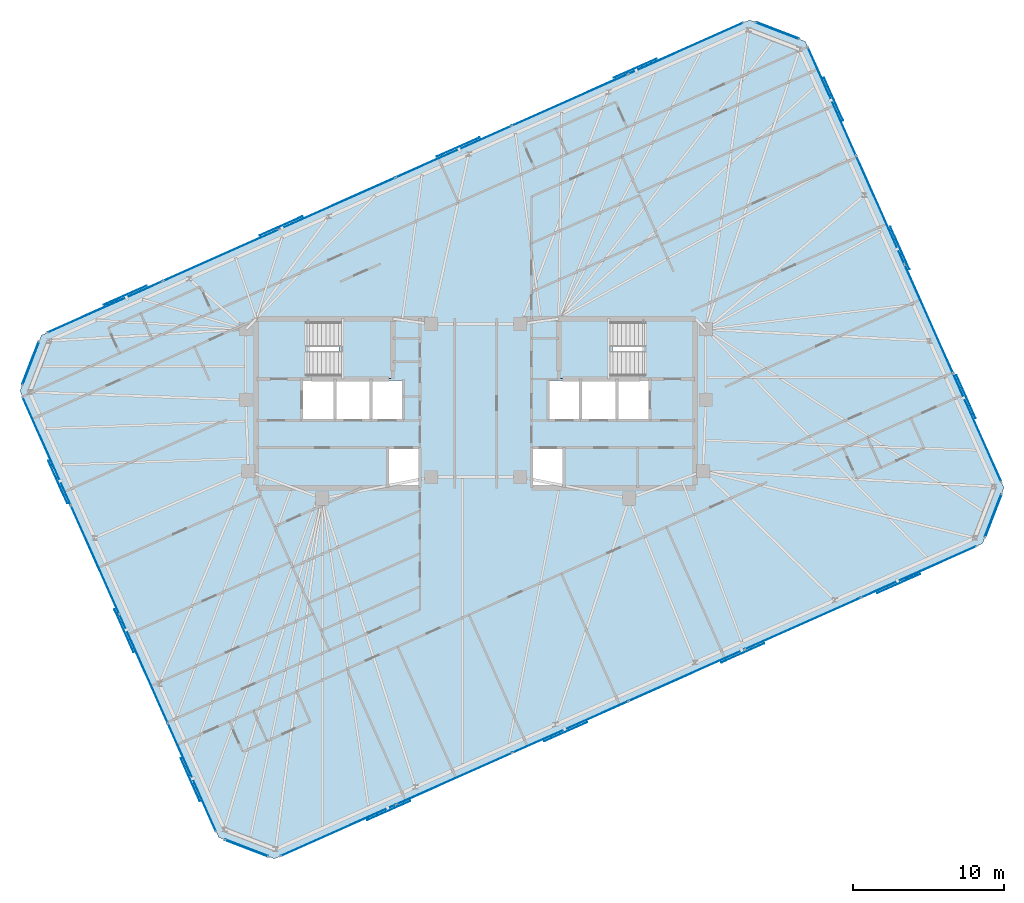
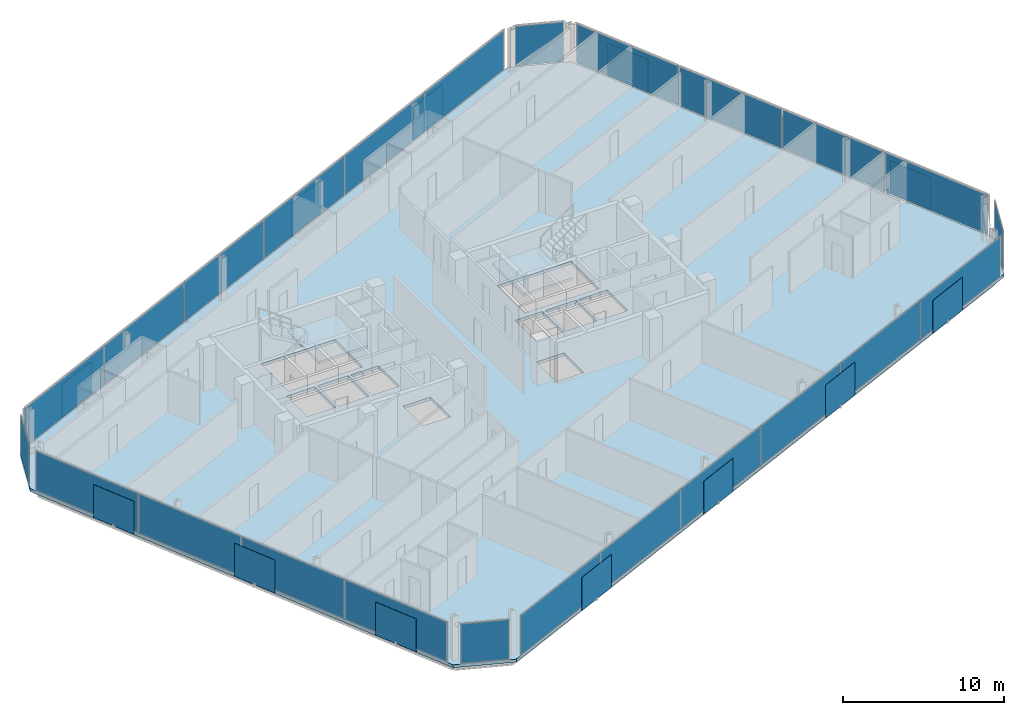
# One storey, part 12 of 19: 38 plates, 3 slabs, 10 elements without a shape of their own.
"""IFC4 building model written with IfcOpenShell, lengths in metres."""

from ifc_helpers import new_model, si_unit, direction, frame, origin, origin_2d, place, context, subcontext, project, spatial, polyline, rectangle, outline, extrude, material, layer, layer_set, type_object, element, aggregate, save


model = new_model("IFC4")

# Units and contexts
model_context = context("Model", 3, precision=1e-05, world=origin(), true_north=direction((0.0, 1.0)))
body_context = subcontext(model_context, "Body", "Model", "MODEL_VIEW")
ifc_project = project(units=[si_unit("LENGTHUNIT", "METRE"), si_unit("AREAUNIT", "SQUARE_METRE"), si_unit("VOLUMEUNIT", "CUBIC_METRE"), si_unit("PLANEANGLEUNIT", "RADIAN"), si_unit("MASSUNIT", "GRAM", prefix="KILO")], contexts=[model_context])

# Site, building, storey
site_placement = place(None, origin())
site = spatial("IfcSite", under=ifc_project, at=site_placement, CompositionType="ELEMENT")
building_placement = place(site_placement, origin())
building = spatial("IfcBuilding", under=site, at=building_placement, Name="Menara Jurai Vektor", CompositionType="ELEMENT")
storey_placement = place(building_placement, frame((0.0, 0.0, 288.60009765625)))
storey = spatial("IfcBuildingStorey", under=building, at=storey_placement, Name="L77", CompositionType="ELEMENT", Elevation=288.60009765625)

# Curtain wall, plates
ifc_material_1 = material(Name="Anodised Pale Aluminium & Low-E Double Glazing", Category="aluminium")
curtain_wall_type = type_object("IfcCurtainWallType", Name="CW-BLK5", PredefinedType="NOTDEFINED", material=ifc_material_1)
curtain_wall_1_placement = place(storey_placement, origin())
curtain_wall_1 = element("IfcCurtainWall", 1, at=curtain_wall_1_placement, inside=storey, type_object=curtain_wall_type, Name="Unitised Curtain Wall L77 F01", PredefinedType="NOTDEFINED")
ifc_material_2 = material(Name="Low-E Solar-Control Double Glazed Unit", Category="glass")
ifc_layer_1 = layer(ifc_material_2, 0.028076171875)
ifc_layer_set_1 = layer_set([ifc_layer_1], Name="Low-E Solar-Control Double Glazed Unit")
plate_type_1 = type_object("IfcPlateType", Name="CW-BLK5-PNL", PredefinedType="CURTAIN_PANEL", material=ifc_layer_set_1)
plate_1_placement = place(storey_placement, frame((-9.130615234375, -28.331787109375, 0.074951171875), z_axis=(0.0, 0.0, 1.0), x_axis=(0.913545967158, 0.406735498684, 0.0)))
plate_1 = element("IfcPlate", 2, at=plate_1_placement, type_object=plate_type_1, Name="CW-05 panel 1.1", PredefinedType="CURTAIN_PANEL", context=body_context, shape_type="SweptSolid", body=[
    extrude(rectangle(XDim=8.327392578125, YDim=0.028076171875, at=origin_2d()), origin(), (0.0, 0.0, 1.0), 2.97509765625),
])
plate_2_placement = place(storey_placement, frame((-1.4375, -24.90673828125, 0.074951171875), z_axis=(0.0, 0.0, 1.0), x_axis=(0.913545967158, 0.406735498684, 0.0)))
plate_2 = element("IfcPlate", 3, at=plate_2_placement, type_object=plate_type_1, Name="CW-05 panel 2.1", PredefinedType="CURTAIN_PANEL", context=body_context, shape_type="SweptSolid", body=[
    extrude(rectangle(XDim=8.364990234375, YDim=0.028076171875, at=origin_2d()), origin(), (0.0, 0.0, 1.0), 2.97509765625),
])
plate_3_placement = place(storey_placement, frame((6.27294921875, -21.473876953125, 0.074951171875), z_axis=(0.0, 0.0, 1.0), x_axis=(0.913545967158, 0.406735498684, 0.0)))
plate_3 = element("IfcPlate", 4, at=plate_3_placement, type_object=plate_type_1, Name="CW-05 panel 3.1", PredefinedType="CURTAIN_PANEL", context=body_context, shape_type="SweptSolid", body=[
    extrude(rectangle(XDim=8.364990234375, YDim=0.028076171875, at=origin_2d()), origin(), (0.0, 0.0, 1.0), 2.97509765625),
])
plate_4_placement = place(storey_placement, frame((13.983154296875, -18.041015625, 0.074951171875), z_axis=(0.0, 0.0, 1.0), x_axis=(0.913545967158, 0.406735498684, 0.0)))
plate_4 = element("IfcPlate", 5, at=plate_4_placement, type_object=plate_type_1, Name="CW-05 panel 4.1", PredefinedType="CURTAIN_PANEL", context=body_context, shape_type="SweptSolid", body=[
    extrude(rectangle(XDim=8.364990234375, YDim=0.028076171875, at=origin_2d()), origin(), (0.0, 0.0, 1.0), 2.97509765625),
])
plate_5_placement = place(storey_placement, frame((21.693603515625, -14.608154296875, 0.074951171875), z_axis=(0.0, 0.0, 1.0), x_axis=(0.913545967158, 0.406735498684, 0.0)))
plate_5 = element("IfcPlate", 6, at=plate_5_placement, type_object=plate_type_1, Name="CW-05 panel 5.1", PredefinedType="CURTAIN_PANEL", context=body_context, shape_type="SweptSolid", body=[
    extrude(rectangle(XDim=8.364990234375, YDim=0.028076171875, at=origin_2d()), origin(), (0.0, 0.0, 1.0), 2.97509765625),
])
plate_6_placement = place(storey_placement, frame((29.38671875, -11.182861328125, 0.074951171875), z_axis=(0.0, 0.0, 1.0), x_axis=(0.913545967158, 0.406735498684, 0.0)))
plate_6 = element("IfcPlate", 7, at=plate_6_placement, type_object=plate_type_1, Name="CW-05 panel 6.1", PredefinedType="CURTAIN_PANEL", context=body_context, shape_type="SweptSolid", body=[
    extrude(rectangle(XDim=8.327392578125, YDim=0.028076171875, at=origin_2d()), origin(), (0.0, 0.0, 1.0), 2.97509765625),
])
aggregate(curtain_wall_1, [plate_1, plate_2, plate_3, plate_4, plate_5, plate_6])

curtain_wall_2_placement = place(storey_placement, origin())
curtain_wall_2 = element("IfcCurtainWall", 8, at=curtain_wall_2_placement, inside=storey, type_object=curtain_wall_type, Name="Unitised Curtain Wall L77 F03", PredefinedType="NOTDEFINED")
plate_7_placement = place(storey_placement, frame((33.25439453125, -1.630126953125, 0.074951171875), z_axis=(0.0, 0.0, 1.0), x_axis=(-0.406735138086, 0.913546127706, 0.0)))
plate_7 = element("IfcPlate", 9, at=plate_7_placement, type_object=plate_type_1, Name="CW-05 panel 1.1", PredefinedType="CURTAIN_PANEL", context=body_context, shape_type="SweptSolid", body=[
    extrude(rectangle(XDim=7.797607421875, YDim=0.028076171875, at=origin_2d()), origin(), (0.0, 0.0, 1.0), 2.97509765625),
])
plate_8_placement = place(storey_placement, frame((30.044677734375, 5.578857421875, 0.074951171875), z_axis=(0.0, 0.0, 1.0), x_axis=(-0.406735138086, 0.913546127706, 0.0)))
plate_8 = element("IfcPlate", 10, at=plate_8_placement, type_object=plate_type_1, Name="CW-05 panel 2.1", PredefinedType="CURTAIN_PANEL", context=body_context, shape_type="SweptSolid", body=[
    extrude(rectangle(XDim=7.8349609375, YDim=0.028076171875, at=origin_2d()), origin(), (0.0, 0.0, 1.0), 2.97509765625),
])
plate_9_placement = place(storey_placement, frame((26.827392578125, 12.80517578125, 0.074951171875), z_axis=(0.0, 0.0, 1.0), x_axis=(-0.406735138086, 0.913546127706, 0.0)))
plate_9 = element("IfcPlate", 11, at=plate_9_placement, type_object=plate_type_1, Name="CW-05 panel 3.1", PredefinedType="CURTAIN_PANEL", context=body_context, shape_type="SweptSolid", body=[
    extrude(rectangle(XDim=7.8349609375, YDim=0.028076171875, at=origin_2d()), origin(), (0.0, 0.0, 1.0), 2.97509765625),
])
plate_10_placement = place(storey_placement, frame((23.61767578125, 20.01416015625, 0.074951171875), z_axis=(0.0, 0.0, 1.0), x_axis=(-0.406735138086, 0.913546127706, 0.0)))
plate_10 = element("IfcPlate", 12, at=plate_10_placement, type_object=plate_type_1, Name="CW-05 panel 4.1", PredefinedType="CURTAIN_PANEL", context=body_context, shape_type="SweptSolid", body=[
    extrude(rectangle(XDim=7.797607421875, YDim=0.028076171875, at=origin_2d()), origin(), (0.0, 0.0, 1.0), 2.97509765625),
])
aggregate(curtain_wall_2, [plate_7, plate_8, plate_9, plate_10])

curtain_wall_3_placement = place(storey_placement, origin())
curtain_wall_3 = element("IfcCurtainWall", 13, at=curtain_wall_3_placement, inside=storey, type_object=curtain_wall_type, Name="Unitised Curtain Wall L77 F05", PredefinedType="NOTDEFINED")
plate_11_placement = place(storey_placement, frame((13.9306640625, 23.53173828125, 0.074951171875), z_axis=(0.0, 0.0, 1.0), x_axis=(-0.913545967158, -0.406735498684, 0.0)))
plate_11 = element("IfcPlate", 14, at=plate_11_placement, type_object=plate_type_1, Name="CW-05 panel 1.1", PredefinedType="CURTAIN_PANEL", context=body_context, shape_type="SweptSolid", body=[
    extrude(rectangle(XDim=8.327392578125, YDim=0.028076171875, at=origin_2d()), origin(), (0.0, 0.0, 1.0), 2.97509765625),
])
plate_12_placement = place(storey_placement, frame((6.237548828125, 20.106689453125, 0.074951171875), z_axis=(0.0, 0.0, 1.0), x_axis=(-0.913545967158, -0.406735498684, 0.0)))
plate_12 = element("IfcPlate", 15, at=plate_12_placement, type_object=plate_type_1, Name="CW-05 panel 2.1", PredefinedType="CURTAIN_PANEL", context=body_context, shape_type="SweptSolid", body=[
    extrude(rectangle(XDim=8.364990234375, YDim=0.028076171875, at=origin_2d()), origin(), (0.0, 0.0, 1.0), 2.97509765625),
])
plate_13_placement = place(storey_placement, frame((-1.472900390625, 16.673828125, 0.074951171875), z_axis=(0.0, 0.0, 1.0), x_axis=(-0.913545967158, -0.406735498684, 0.0)))
plate_13 = element("IfcPlate", 16, at=plate_13_placement, type_object=plate_type_1, Name="CW-05 panel 3.1", PredefinedType="CURTAIN_PANEL", context=body_context, shape_type="SweptSolid", body=[
    extrude(rectangle(XDim=8.364990234375, YDim=0.028076171875, at=origin_2d()), origin(), (0.0, 0.0, 1.0), 2.97509765625),
])
plate_14_placement = place(storey_placement, frame((-9.18310546875, 13.240966796875, 0.074951171875), z_axis=(0.0, 0.0, 1.0), x_axis=(-0.913545967158, -0.406735498684, 0.0)))
plate_14 = element("IfcPlate", 17, at=plate_14_placement, type_object=plate_type_1, Name="CW-05 panel 4.1", PredefinedType="CURTAIN_PANEL", context=body_context, shape_type="SweptSolid", body=[
    extrude(rectangle(XDim=8.364990234375, YDim=0.028076171875, at=origin_2d()), origin(), (0.0, 0.0, 1.0), 2.97509765625),
])
plate_15_placement = place(storey_placement, frame((-16.8935546875, 9.80810546875, 0.074951171875), z_axis=(0.0, 0.0, 1.0), x_axis=(-0.913545967158, -0.406735498684, 0.0)))
plate_15 = element("IfcPlate", 18, at=plate_15_placement, type_object=plate_type_1, Name="CW-05 panel 5.1", PredefinedType="CURTAIN_PANEL", context=body_context, shape_type="SweptSolid", body=[
    extrude(rectangle(XDim=8.364990234375, YDim=0.028076171875, at=origin_2d()), origin(), (0.0, 0.0, 1.0), 2.97509765625),
])
plate_16_placement = place(storey_placement, frame((-24.586669921875, 6.3828125, 0.074951171875), z_axis=(0.0, 0.0, 1.0), x_axis=(-0.913545967158, -0.406735498684, 0.0)))
plate_16 = element("IfcPlate", 19, at=plate_16_placement, type_object=plate_type_1, Name="CW-05 panel 6.1", PredefinedType="CURTAIN_PANEL", context=body_context, shape_type="SweptSolid", body=[
    extrude(rectangle(XDim=8.327392578125, YDim=0.028076171875, at=origin_2d()), origin(), (0.0, 0.0, 1.0), 2.97509765625),
])
aggregate(curtain_wall_3, [plate_11, plate_12, plate_13, plate_14, plate_15, plate_16])

curtain_wall_4_placement = place(storey_placement, origin())
curtain_wall_4 = element("IfcCurtainWall", 20, at=curtain_wall_4_placement, inside=storey, type_object=curtain_wall_type, Name="Unitised Curtain Wall L77 F07", PredefinedType="NOTDEFINED")
plate_17_placement = place(storey_placement, frame((-28.454345703125, -3.169921875, 0.074951171875), z_axis=(0.0, 0.0, 1.0), x_axis=(0.406735138086, -0.913546127706, 0.0)))
plate_17 = element("IfcPlate", 21, at=plate_17_placement, type_object=plate_type_1, Name="CW-05 panel 1.1", PredefinedType="CURTAIN_PANEL", context=body_context, shape_type="SweptSolid", body=[
    extrude(rectangle(XDim=7.797607421875, YDim=0.028076171875, at=origin_2d()), origin(), (0.0, 0.0, 1.0), 2.97509765625),
])
plate_18_placement = place(storey_placement, frame((-25.24462890625, -10.37890625, 0.074951171875), z_axis=(0.0, 0.0, 1.0), x_axis=(0.406735138086, -0.913546127706, 0.0)))
plate_18 = element("IfcPlate", 22, at=plate_18_placement, type_object=plate_type_1, Name="CW-05 panel 2.1", PredefinedType="CURTAIN_PANEL", context=body_context, shape_type="SweptSolid", body=[
    extrude(rectangle(XDim=7.8349609375, YDim=0.028076171875, at=origin_2d()), origin(), (0.0, 0.0, 1.0), 2.97509765625),
])
plate_19_placement = place(storey_placement, frame((-22.02734375, -17.60498046875, 0.074951171875), z_axis=(0.0, 0.0, 1.0), x_axis=(0.406735138086, -0.913546127706, 0.0)))
plate_19 = element("IfcPlate", 23, at=plate_19_placement, type_object=plate_type_1, Name="CW-05 panel 3.1", PredefinedType="CURTAIN_PANEL", context=body_context, shape_type="SweptSolid", body=[
    extrude(rectangle(XDim=7.8349609375, YDim=0.028076171875, at=origin_2d()), origin(), (0.0, 0.0, 1.0), 2.97509765625),
])
plate_20_placement = place(storey_placement, frame((-18.81787109375, -24.814208984375, 0.074951171875), z_axis=(0.0, 0.0, 1.0), x_axis=(0.406735138086, -0.913546127706, 0.0)))
plate_20 = element("IfcPlate", 24, at=plate_20_placement, type_object=plate_type_1, Name="CW-05 panel 4.1", PredefinedType="CURTAIN_PANEL", context=body_context, shape_type="SweptSolid", body=[
    extrude(rectangle(XDim=7.797607421875, YDim=0.028076171875, at=origin_2d()), origin(), (0.0, 0.0, 1.0), 2.97509765625),
])
aggregate(curtain_wall_4, [plate_17, plate_18, plate_19, plate_20])

# Curtain wall, plate
curtain_wall_5_placement = place(storey_placement, origin())
curtain_wall_5 = element("IfcCurtainWall", 25, at=curtain_wall_5_placement, inside=storey, type_object=curtain_wall_type, Name="Unitised Curtain Wall L77 F02", PredefinedType="NOTDEFINED")
ifc_material_3 = material(Name="Insulated Pale Aluminium Spandrel Panel", Category="aluminium")
ifc_layer_2 = layer(ifc_material_3, 0.06005859375)
ifc_layer_set_2 = layer_set([ifc_layer_2], Name="Insulated Pale Aluminium Spandrel Panel")
plate_type_2 = type_object("IfcPlateType", Name="CW-PNL-SP", PredefinedType="CURTAIN_PANEL", material=ifc_layer_set_2)
plate_21_placement = place(storey_placement, frame((34.315673828125, -7.455810546875, 0.074951171875), z_axis=(0.0, 0.0, 1.0), x_axis=(0.358373766287, 0.933578193639, 0.0)))
plate_21 = element("IfcPlate", 26, at=plate_21_placement, type_object=plate_type_2, Name="CW-05 panel 1.1", PredefinedType="CURTAIN_PANEL", context=body_context, shape_type="SweptSolid", body=[
    extrude(rectangle(XDim=3.0498046875, YDim=0.06005859375, at=origin_2d()), origin(), (0.0, 0.0, 1.0), 2.97509765625),
])
aggregate(curtain_wall_5, [plate_21])

curtain_wall_6_placement = place(storey_placement, origin())
curtain_wall_6 = element("IfcCurtainWall", 27, at=curtain_wall_6_placement, inside=storey, type_object=curtain_wall_type, Name="Unitised Curtain Wall L77 F04", PredefinedType="NOTDEFINED")
plate_22_placement = place(storey_placement, frame((19.99853515625, 24.700927734375, 0.074951171875), z_axis=(0.0, 0.0, 1.0), x_axis=(-0.933578193639, 0.358373766287, 0.0)))
plate_22 = element("IfcPlate", 28, at=plate_22_placement, type_object=plate_type_2, Name="CW-05 panel 1.1", PredefinedType="CURTAIN_PANEL", context=body_context, shape_type="SweptSolid", body=[
    extrude(rectangle(XDim=3.0498046875, YDim=0.06005859375, at=origin_2d()), origin(), (0.0, 0.0, 1.0), 2.97509765625),
])
aggregate(curtain_wall_6, [plate_22])

curtain_wall_7_placement = place(storey_placement, origin())
curtain_wall_7 = element("IfcCurtainWall", 29, at=curtain_wall_7_placement, inside=storey, type_object=curtain_wall_type, Name="Unitised Curtain Wall L77 F06", PredefinedType="NOTDEFINED")
plate_23_placement = place(storey_placement, frame((-29.515625, 2.65576171875, 0.074951171875), z_axis=(0.0, 0.0, 1.0), x_axis=(-0.358373766287, -0.933578193639, 0.0)))
plate_23 = element("IfcPlate", 30, at=plate_23_placement, type_object=plate_type_2, Name="CW-05 panel 1.1", PredefinedType="CURTAIN_PANEL", context=body_context, shape_type="SweptSolid", body=[
    extrude(rectangle(XDim=3.0498046875, YDim=0.06005859375, at=origin_2d()), origin(), (0.0, 0.0, 1.0), 2.97509765625),
])
aggregate(curtain_wall_7, [plate_23])

curtain_wall_8_placement = place(storey_placement, origin())
curtain_wall_8 = element("IfcCurtainWall", 31, at=curtain_wall_8_placement, inside=storey, type_object=curtain_wall_type, Name="Unitised Curtain Wall L77 F08", PredefinedType="NOTDEFINED")
plate_24_placement = place(storey_placement, frame((-15.198486328125, -29.5009765625, 0.074951171875), z_axis=(0.0, 0.0, 1.0), x_axis=(0.933578193639, -0.358373766287, 0.0)))
plate_24 = element("IfcPlate", 32, at=plate_24_placement, type_object=plate_type_2, Name="CW-05 panel 1.1", PredefinedType="CURTAIN_PANEL", context=body_context, shape_type="SweptSolid", body=[
    extrude(rectangle(XDim=3.0498046875, YDim=0.06005859375, at=origin_2d()), origin(), (0.0, 0.0, 1.0), 2.97509765625),
])
aggregate(curtain_wall_8, [plate_24])

# Plates
ifc_material_4 = material(Name="Anodised Pale Aluminium Perforated Screen", Category="aluminium")
ifc_layer_3 = layer(ifc_material_4, 0.02197265625)
ifc_layer_set_3 = layer_set([ifc_layer_3], Name="Anodised Pale Aluminium Perforated Screen")
plate_type_3 = type_object("IfcPlateType", Name="ENV-PLT-SCREEN-HI", PredefinedType="USERDEFINED", material=ifc_layer_set_3)
for number, where, z_axis, x_axis, name in (
    (33, (-5.77197265625, -27.01171875, -0.050048828125), (0.0, 0.0, 1.0), (0.913545457643, 0.406736643076, 0.0), "Perforated Pale-Metal Solar Screen L77-S01"),
    (34, (5.967041015625, -21.78515625, -0.050048828125), (0.0, 0.0, 1.0), (0.913545457643, 0.406736643076, 0.0), "Perforated Pale-Metal Solar Screen L77-S02"),
    (35, (17.7060546875, -16.55859375, -0.050048828125), (0.0, 0.0, 1.0), (0.913545457643, 0.406736643076, 0.0), "Perforated Pale-Metal Solar Screen L77-S03"),
    (36, (28.036376953125, -11.958984375, -0.050048828125), (0.0, 0.0, 1.0), (0.913545457643, 0.406736643076, 0.0), "Perforated Pale-Metal Solar Screen L77-S04"),
    (37, (32.513671875, 0.4267578125, -0.050048828125), (0.0, 0.0, 1.0), (-0.406736643076, 0.913545457643, 0.0), "Perforated Pale-Metal Solar Screen L77-S05"),
    (38, (28.12109375, 10.29296875, -0.050048828125), (0.0, 0.0, 1.0), (-0.406736643076, 0.913545457643, 0.0), "Perforated Pale-Metal Solar Screen L77-S06"),
    (39, (23.728271484375, 20.1591796875, -0.050048828125), (0.0, 0.0, 1.0), (-0.406736643076, 0.913545457643, 0.0), "Perforated Pale-Metal Solar Screen L77-S07"),
    (40, (10.572021484375, 22.211669921875, -0.050048828125), (0.0, 0.0, 1.0), (-0.913545457643, -0.406736643076, 0.0), "Perforated Pale-Metal Solar Screen L77-S08"),
    (41, (-1.1669921875, 16.985107421875, -0.050048828125), (0.0, 0.0, 1.0), (-0.913545457643, -0.406736643076, 0.0), "Perforated Pale-Metal Solar Screen L77-S09"),
    (42, (-12.906005859375, 11.758544921875, -0.050048828125), (0.0, 0.0, 1.0), (-0.913545457643, -0.406736643076, 0.0), "Perforated Pale-Metal Solar Screen L77-S10"),
    (43, (-23.236328125, 7.1591796875, -0.050048828125), (0.0, 0.0, 1.0), (-0.913545457643, -0.406736643076, 0.0), "Perforated Pale-Metal Solar Screen L77-S11"),
    (44, (-27.713623046875, -5.226806640625, -0.050048828125), (0.0, 0.0, 1.0), (0.406736643076, -0.913545457643, 0.0), "Perforated Pale-Metal Solar Screen L77-S12"),
    (45, (-23.321044921875, -15.093017578125, -0.050048828125), (0.0, 0.0, 1.0), (0.406736643076, -0.913545457643, 0.0), "Perforated Pale-Metal Solar Screen L77-S13"),
    (46, (-18.92822265625, -24.959228515625, -0.050048828125), (0.0, 0.0, 1.0), (0.406736643076, -0.913545457643, 0.0), "Perforated Pale-Metal Solar Screen L77-S14"),
):
    element("IfcPlate", number, at=place(storey_placement, frame(where, z_axis=z_axis, x_axis=x_axis)), inside=storey, type_object=plate_type_3, Name=name, ObjectType="SCREEN", PredefinedType="USERDEFINED", context=body_context, shape_type="SweptSolid", body=[
        extrude(rectangle(XDim=3.10009765625, YDim=0.02197265625, at=origin_2d()), origin(), (0.0, 0.0, 1.0), 2.5),
    ])

# Stair, slab
ifc_material_5 = material(Name="Concrete C40/50", Category="concrete")
stair_type = type_object("IfcStairType", Name="STAIR-DOGLEG-1500", PredefinedType="HALF_TURN_STAIR", material=ifc_material_5)
stair_1_placement = place(storey_placement, origin())
stair_1 = element("IfcStair", 47, at=stair_1_placement, inside=storey, type_object=stair_type, Name="Protected Exit Stair ST1 L77", PredefinedType="HALF_TURN_STAIR")
ifc_layer_4 = layer(ifc_material_5, 0.199951171875)
ifc_layer_set_4 = layer_set([ifc_layer_4], Name="Concrete C40/50")
slab_type_1 = type_object("IfcSlabType", Name="STAIR-LANDING-200", PredefinedType="LANDING", material=ifc_layer_set_4)
slab_1_placement = place(storey_placement, frame((0.0, 0.0, 1.474853515625)))
slab_1 = element("IfcSlab", 48, at=slab_1_placement, type_object=slab_type_1, Name="ST1 landing 1", PredefinedType="LANDING", context=body_context, shape_type="SweptSolid", body=[
    extrude(outline(polyline([(-9.080078125, 1.64990234375), (-5.550048828125, 1.64990234375), (-5.550048828125, 5.550048828125), (-9.080078125, 5.550048828125), (-9.080078125, 1.64990234375)])), origin(), (0.0, 0.0, 1.0), 0.199951171875),
])
aggregate(stair_1, [slab_1])

stair_2_placement = place(storey_placement, origin())
stair_2 = element("IfcStair", 49, at=stair_2_placement, inside=storey, type_object=stair_type, Name="Protected Exit Stair ST2 L77", PredefinedType="HALF_TURN_STAIR")
slab_2_placement = place(storey_placement, frame((0.0, 0.0, 1.474853515625)))
slab_2 = element("IfcSlab", 50, at=slab_2_placement, type_object=slab_type_1, Name="ST2 landing 1", PredefinedType="LANDING", context=body_context, shape_type="SweptSolid", body=[
    extrude(outline(polyline([(5.550048828125, 1.64990234375), (9.080078125, 1.64990234375), (9.080078125, 5.550048828125), (5.550048828125, 5.550048828125), (5.550048828125, 1.64990234375)])), origin(), (0.0, 0.0, 1.0), 0.199951171875),
])
aggregate(stair_2, [slab_2])

# Slab
ifc_layer_5 = layer(ifc_material_5, 0.22509765625)
ifc_layer_set_5 = layer_set([ifc_layer_5], Name="Concrete C40/50")
slab_type_2 = type_object("IfcSlabType", Name="STR-SLAB-TYP200", PredefinedType="FLOOR", material=ifc_layer_set_5)
slab_3_placement = place(storey_placement, frame((0.0, 0.0, -0.22509765625)))
element("IfcSlab", 51, at=slab_3_placement, inside=storey, type_object=slab_type_2, Name="Composite Floor Slab L77", PredefinedType="FLOOR", context=body_context, shape_type="SweptSolid", body=[
    extrude(outline(polyline([(-13.35009765625, -30.21044921875), (33.606201171875, -9.30419921875), (35.025146484375, -5.607421875), (21.846923828125, 23.991455078125), (18.150146484375, 25.410400390625), (-28.80615234375, 4.504150390625), (-30.22509765625, 0.807373046875), (-17.046875, -28.79150390625), (-13.35009765625, -30.21044921875)]), holes=[polyline([(-11.10009765625, 1.89990234375), (-11.10009765625, 5.300048828125), (-5.800048828125, 5.300048828125), (-5.800048828125, 1.89990234375), (-11.10009765625, 1.89990234375)]), polyline([(5.800048828125, 1.89990234375), (5.800048828125, 5.300048828125), (11.10009765625, 5.300048828125), (11.10009765625, 1.89990234375), (5.800048828125, 1.89990234375)]), polyline([(-11.449951171875, -1.050048828125), (-11.449951171875, 1.5), (-9.449951171875, 1.5), (-9.449951171875, -1.050048828125), (-11.449951171875, -1.050048828125)]), polyline([(9.449951171875, -1.050048828125), (9.449951171875, 1.5), (11.449951171875, 1.5), (11.449951171875, -1.050048828125), (9.449951171875, -1.050048828125)]), polyline([(-5.760009765625, -5.5), (-5.760009765625, -3.050048828125), (-3.800048828125, -3.050048828125), (-3.800048828125, -5.5), (-5.760009765625, -5.5)]), polyline([(-6.85009765625, -1.050048828125), (-6.85009765625, 1.5), (-4.889892578125, 1.5), (-4.889892578125, -1.050048828125), (-6.85009765625, -1.050048828125)]), polyline([(3.800048828125, -5.5), (3.800048828125, -3.050048828125), (5.760009765625, -3.050048828125), (5.760009765625, -5.5), (3.800048828125, -5.5)]), polyline([(4.889892578125, -1.050048828125), (4.889892578125, 1.5), (6.85009765625, 1.5), (6.85009765625, -1.050048828125), (4.889892578125, -1.050048828125)]), polyline([(-9.25, -1.050048828125), (-9.25, 1.5), (-7.050048828125, 1.5), (-7.050048828125, -1.050048828125), (-9.25, -1.050048828125)]), polyline([(7.050048828125, -1.050048828125), (7.050048828125, 1.5), (9.25, 1.5), (9.25, -1.050048828125), (7.050048828125, -1.050048828125)])]), origin(), (0.0, 0.0, 1.0), 0.22509765625),
])

save(model, "model.ifc")
